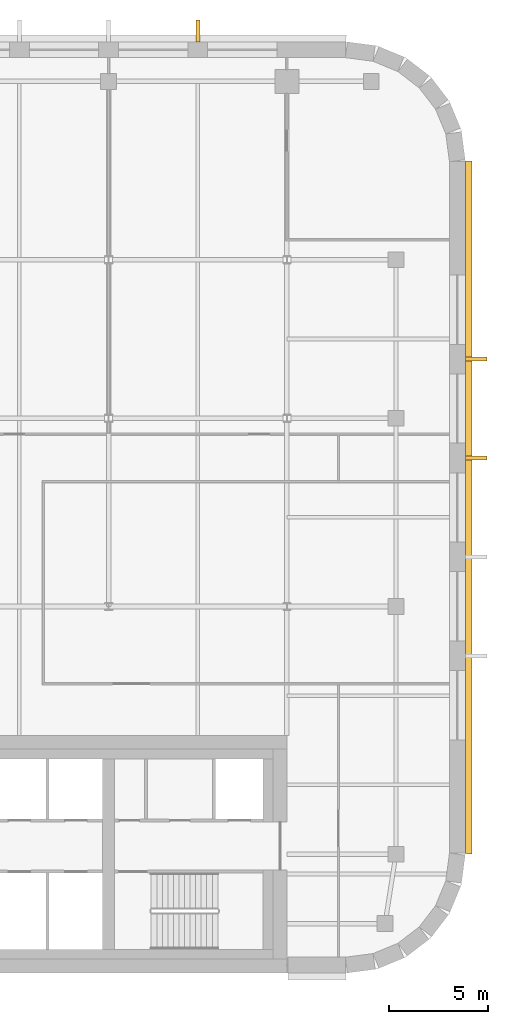
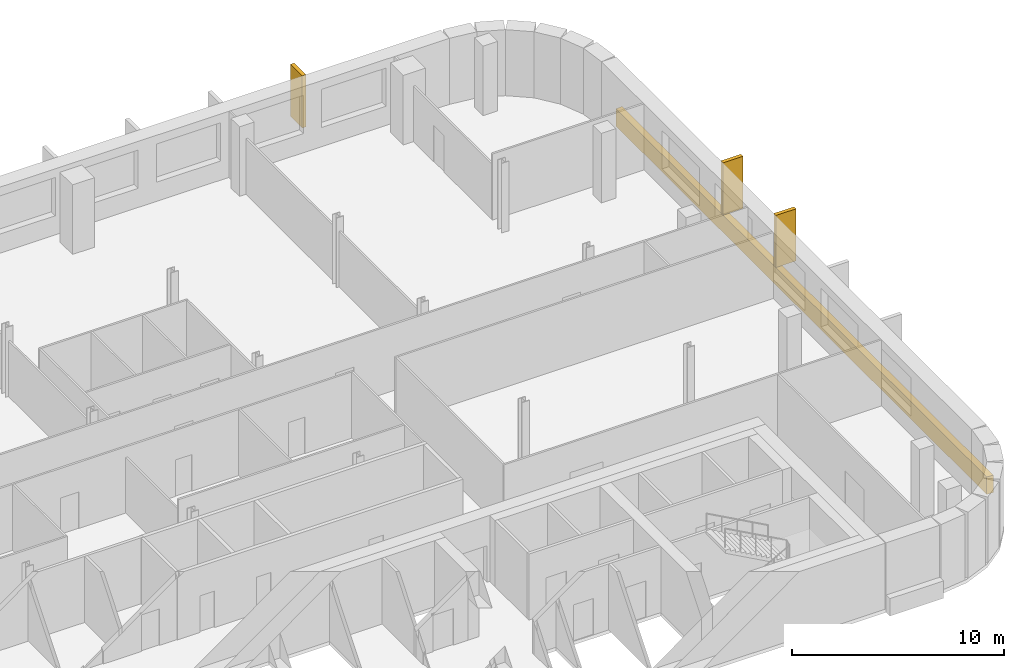
# One storey, part 16 of 16: 4 coverings.
"""IFC4 building model written with IfcOpenShell, lengths in metres."""

import ifcopenshell
import ifcopenshell.guid

model = None  # the IFC model being written
_history = None  # IfcOwnerHistory: only IFC2X3 demands one
_inside = {}  # id of a spatial element -> (the spatial element, [elements in it])
_under = {}  # id of a project, library or spatial element -> (it, [spatial elements below it])
_declared = {}  # id of a project -> (the project, [libraries it declares])
_typed = {}  # id of a type object -> (the type object, [elements of that type])
_made_of = {}  # id of a material, layer set ... -> (it, [elements and type objects made of it])


def new_model(schema):
    """Start an empty IFC model of exactly this schema.

    Asked for "IFC4X3", IfcOpenShell would pick the latest addendum, in which some entities
    have other attributes; the version numbers below select the first issue.
    IFC2X3 requires an IfcOwnerHistory on every rooted entity: one is made here for all.
    """
    global model, _history
    if schema == "IFC4X3":
        model = ifcopenshell.file(schema_version=(4, 3, 0, 0))
    else:
        model = ifcopenshell.file(schema=schema)
    _inside.clear()
    _under.clear()
    _declared.clear()
    _typed.clear()
    _made_of.clear()
    _history = None
    if model.schema == "IFC2X3":
        org = make("IfcOrganization", Name="unknown")
        user = make(
            "IfcPersonAndOrganization",
            ThePerson=make("IfcPerson", FamilyName="unknown"),
            TheOrganization=org,
        )
        app = make(
            "IfcApplication",
            ApplicationDeveloper=org,
            Version="unknown",
            ApplicationFullName="unknown",
            ApplicationIdentifier="unknown",
        )
        _history = make(
            "IfcOwnerHistory",
            OwningUser=user,
            OwningApplication=app,
            ChangeAction="ADDED",
            CreationDate=0,
        )
    return model


def make(cls, **values):
    """One entity of the class cls with the attributes given. An attribute that is None is left unset."""
    return model.create_entity(
        cls, **{name: value for name, value in values.items() if value is not None}
    )


def rooted(cls, **values):
    """An entity with a GlobalId (a new one), such as an element, a storey or a relation."""
    return make(cls, GlobalId=ifcopenshell.guid.new(), OwnerHistory=_history, **values)


def si_unit(unit_type, name, prefix=None):
    """IfcSIUnit, for example si_unit("LENGTHUNIT", "METRE", prefix="MILLI")."""
    return make("IfcSIUnit", UnitType=unit_type, Prefix=prefix, Name=name)


def assignment(units):
    """IfcUnitAssignment: the units of a project."""
    return None if units is None else make("IfcUnitAssignment", Units=units)


def point(xyz):
    """IfcCartesianPoint."""
    return None if xyz is None else make("IfcCartesianPoint", Coordinates=xyz)


def direction(xyz):
    """IfcDirection."""
    return None if xyz is None else make("IfcDirection", DirectionRatios=xyz)


def frame(location, z_axis=None, x_axis=None):
    """IfcAxis2Placement3D, a coordinate frame: its origin and axes. An axis left out is left unset."""
    return make(
        "IfcAxis2Placement3D",
        Location=point(location),
        Axis=direction(z_axis),
        RefDirection=direction(x_axis),
    )


def origin():
    """The frame at (0, 0, 0) with its axes left unset."""
    return frame((0.0, 0.0, 0.0))


def place(relative_to, where):
    """IfcLocalPlacement: puts the frame where relative to a parent placement (None: the world)."""
    return make(
        "IfcLocalPlacement", PlacementRelTo=relative_to, RelativePlacement=where
    )


def context(
    kind, dimensions, precision=None, world=None, true_north=None, identifier=None
):
    """IfcGeometricRepresentationContext, for example the 3D "Model" context."""
    return make(
        "IfcGeometricRepresentationContext",
        ContextIdentifier=identifier,
        ContextType=kind,
        CoordinateSpaceDimension=dimensions,
        Precision=precision,
        WorldCoordinateSystem=world,
        TrueNorth=true_north,
    )


def subcontext(parent, identifier, kind, view, scale=None):
    """IfcGeometricRepresentationSubContext, for example "Body" below "Model"."""
    return make(
        "IfcGeometricRepresentationSubContext",
        ContextIdentifier=identifier,
        ContextType=kind,
        ParentContext=parent,
        TargetScale=scale,
        TargetView=view,
    )


def project(units=None, contexts=None):
    """IfcProject with its units and contexts."""
    return rooted(
        "IfcProject",
        Name="project",
        RepresentationContexts=contexts,
        UnitsInContext=assignment(units),
    )


def spatial(cls, under=None, at=None, **own):
    """A site, building, storey or space (cls), placed at a placement, below another one or the project."""
    s = rooted(cls, ObjectPlacement=at, **own)
    if under is not None:
        _under.setdefault(under.id(), (under, []))[1].append(s)
    return s


def polyline(points):
    """IfcPolyline through the points."""
    return make("IfcPolyline", Points=[point(p) for p in points])


def outline(outer, holes=None, kind="AREA"):
    """IfcArbitraryClosedProfileDef: a profile drawn as a closed curve; with holes, ...WithVoids."""
    if holes is None:
        return make("IfcArbitraryClosedProfileDef", ProfileType=kind, OuterCurve=outer)
    return make(
        "IfcArbitraryProfileDefWithVoids",
        ProfileType=kind,
        OuterCurve=outer,
        InnerCurves=holes,
    )


def extrude(swept, where, along, depth):
    """IfcExtrudedAreaSolid: the profile swept, set in the frame where, extruded along a direction by depth."""
    return make(
        "IfcExtrudedAreaSolid",
        SweptArea=swept,
        Position=where,
        ExtrudedDirection=direction(along),
        Depth=depth,
    )


def shape(context_of_items, identifier, shape_type, items):
    """IfcShapeRepresentation: the items that make up one representation, for example the "Body"."""
    return make(
        "IfcShapeRepresentation",
        ContextOfItems=context_of_items,
        RepresentationIdentifier=identifier,
        RepresentationType=shape_type,
        Items=items,
    )


def material(Name=None, Category=None):
    """IfcMaterial."""
    return make("IfcMaterial", Name=Name, Category=Category)


def layer(
    of_material, thickness, ventilated=None, Name=None, Category=None, Priority=None
):
    """IfcMaterialLayer: one layer of a wall or slab, of a material (None: an air gap)."""
    return make(
        "IfcMaterialLayer",
        Material=of_material,
        LayerThickness=thickness,
        IsVentilated=ventilated,
        Name=Name,
        Category=Category,
        Priority=Priority,
    )


def layer_set(layers, Name=None):
    """IfcMaterialLayerSet."""
    return make("IfcMaterialLayerSet", MaterialLayers=layers, LayerSetName=Name)


def made_of(thing, what):
    """Note that an element or type object is made of a material, layer set ...; save() writes the relation."""
    if what is not None:
        _made_of.setdefault(what.id(), (what, []))[1].append(thing)
    return thing


def type_object(cls, material=None, **own):
    """A type object (cls), such as IfcWallType, which elements share."""
    return made_of(rooted(cls, **own), material)


def element(
    cls,
    number,
    at=None,
    inside=None,
    cuts=None,
    type_object=None,
    material=None,
    context=None,
    identifier="Body",
    shape_type=None,
    held_by="IfcProductDefinitionShape",
    body=None,
    shapes=None,
    **own,
):
    """One element of the class cls, such as IfcWall. Its Tag is "e" and its number.

    at: its placement. inside: the storey or other place that contains it. cuts: it is an
    opening in that element (IfcRelVoidsElement). A single representation is given by context,
    identifier, shape_type and body (its items); several are given by shapes. held_by: the class
    of the entity that holds the representations. save() writes the other relations.
    """
    e = rooted(cls, Tag="e%d" % number, ObjectPlacement=at, **own)
    if body is not None:
        shapes = [shape(context, identifier, shape_type, body)]
    if shapes is not None:
        e.Representation = make(held_by, Representations=shapes)
    if inside is not None:
        _inside.setdefault(inside.id(), (inside, []))[1].append(e)
    if cuts is not None:
        rooted(
            "IfcRelVoidsElement", RelatingBuildingElement=cuts, RelatedOpeningElement=e
        )
    if type_object is not None:
        _typed.setdefault(type_object.id(), (type_object, []))[1].append(e)
    return made_of(e, material)


def aggregate(whole, parts):
    """IfcRelAggregates: a whole, such as a stair, and the parts it consists of."""
    return rooted("IfcRelAggregates", RelatingObject=whole, RelatedObjects=parts)


def save(model, path):
    """Write the relations noted so far, then the file.

    IfcRelAggregates (storeys below a building ...), IfcRelContainedInSpatialStructure (elements
    in a storey), IfcRelDefinesByType, IfcRelAssociatesMaterial and IfcRelDeclares: one each for
    every whole, place, type object, material and project.
    """
    for whole, parts in _under.values():
        aggregate(whole, parts)
    for where, things in _inside.values():
        rooted(
            "IfcRelContainedInSpatialStructure",
            RelatedElements=things,
            RelatingStructure=where,
        )
    for kind, things in _typed.values():
        rooted("IfcRelDefinesByType", RelatedObjects=things, RelatingType=kind)
    for what, things in _made_of.values():
        rooted("IfcRelAssociatesMaterial", RelatedObjects=things, RelatingMaterial=what)
    for by, libraries in _declared.values():
        rooted("IfcRelDeclares", RelatingContext=by, RelatedDefinitions=libraries)
    model.write(path)


model = new_model("IFC4")

# Units and contexts
model_context = context("Model", 3, precision=1e-05, world=origin(), true_north=direction((0.0, 1.0)))
body_context = subcontext(model_context, "Body", "Model", "MODEL_VIEW")
ifc_project = project(units=[si_unit("LENGTHUNIT", "METRE"), si_unit("AREAUNIT", "SQUARE_METRE"), si_unit("VOLUMEUNIT", "CUBIC_METRE"), si_unit("PLANEANGLEUNIT", "RADIAN"), si_unit("MASSUNIT", "GRAM", prefix="KILO")], contexts=[model_context])

# Site, building, storey
site_placement = place(None, origin())
site = spatial("IfcSite", under=ifc_project, at=site_placement, CompositionType="ELEMENT")
building_placement = place(site_placement, origin())
building = spatial("IfcBuilding", under=site, at=building_placement, Name="Zellij Exchange Tower", CompositionType="ELEMENT")
storey_placement = place(building_placement, frame((0.0, 0.0, 248.5)))
storey = spatial("IfcBuildingStorey", under=building, at=storey_placement, Name="L58", CompositionType="ELEMENT", Elevation=248.5)

# Coverings
ifc_material = material(Name="Limestone cladding", Category="masonry")
ifc_layer = layer(ifc_material, 0.35009765625)
ifc_layer_set = layer_set([ifc_layer], Name="Limestone cladding")
covering_type_1 = type_object("IfcCoveringType", Name="ENV-CV10 Stone spandrel band 350", PredefinedType="CLADDING", material=ifc_layer_set)
covering_1_placement = place(storey_placement, frame((0.0, 0.0, -0.199951171875)))
element("IfcCovering", 1, at=covering_1_placement, inside=storey, type_object=covering_type_1, Name="Stone spandrel band", PredefinedType="CLADDING", context=body_context, shape_type="SweptSolid", body=[
    extrude(outline(polyline([(36.0, -7.973876953125), (36.0, 26.973876953125), (36.35009765625, 26.99658203125), (36.35009765625, -7.99658203125), (36.0, -7.973876953125)])), origin(), (0.0, 0.0, 1.0), 1.0),
])
covering_type_2 = type_object("IfcCoveringType", Name="ENV-CV6 Stone pier 200x1100", PredefinedType="CLADDING", material=ifc_material)
covering_2_placement = place(storey_placement, frame((0.0, 0.0, 0.800048828125)))
element("IfcCovering", 2, at=covering_2_placement, inside=storey, type_object=covering_type_2, Name="Stone pier", PredefinedType="CLADDING", context=body_context, shape_type="SweptSolid", body=[
    extrude(outline(polyline([(36.0, 11.896240234375), (36.0, 12.09619140625), (37.10009765625, 12.09619140625), (37.10009765625, 11.896240234375), (36.0, 11.896240234375)])), origin(), (0.0, 0.0, 1.0), 3.0),
])
covering_3_placement = place(storey_placement, frame((0.0, 0.0, 0.800048828125)))
element("IfcCovering", 3, at=covering_3_placement, inside=storey, type_object=covering_type_2, Name="Stone pier", PredefinedType="CLADDING", context=body_context, shape_type="SweptSolid", body=[
    extrude(outline(polyline([(36.0, 16.888916015625), (36.0, 17.0888671875), (37.10009765625, 17.0888671875), (37.10009765625, 16.888916015625), (36.0, 16.888916015625)])), origin(), (0.0, 0.0, 1.0), 3.0),
])
covering_4_placement = place(storey_placement, frame((0.0, 0.0, 0.800048828125)))
element("IfcCovering", 4, at=covering_4_placement, inside=storey, type_object=covering_type_2, Name="Stone pier", PredefinedType="CLADDING", context=body_context, shape_type="SweptSolid", body=[
    extrude(outline(polyline([(22.60009765625, 33.0), (22.39990234375, 33.0), (22.39990234375, 34.10009765625), (22.60009765625, 34.10009765625), (22.60009765625, 33.0)])), origin(), (0.0, 0.0, 1.0), 3.0),
])

save(model, "model.ifc")
